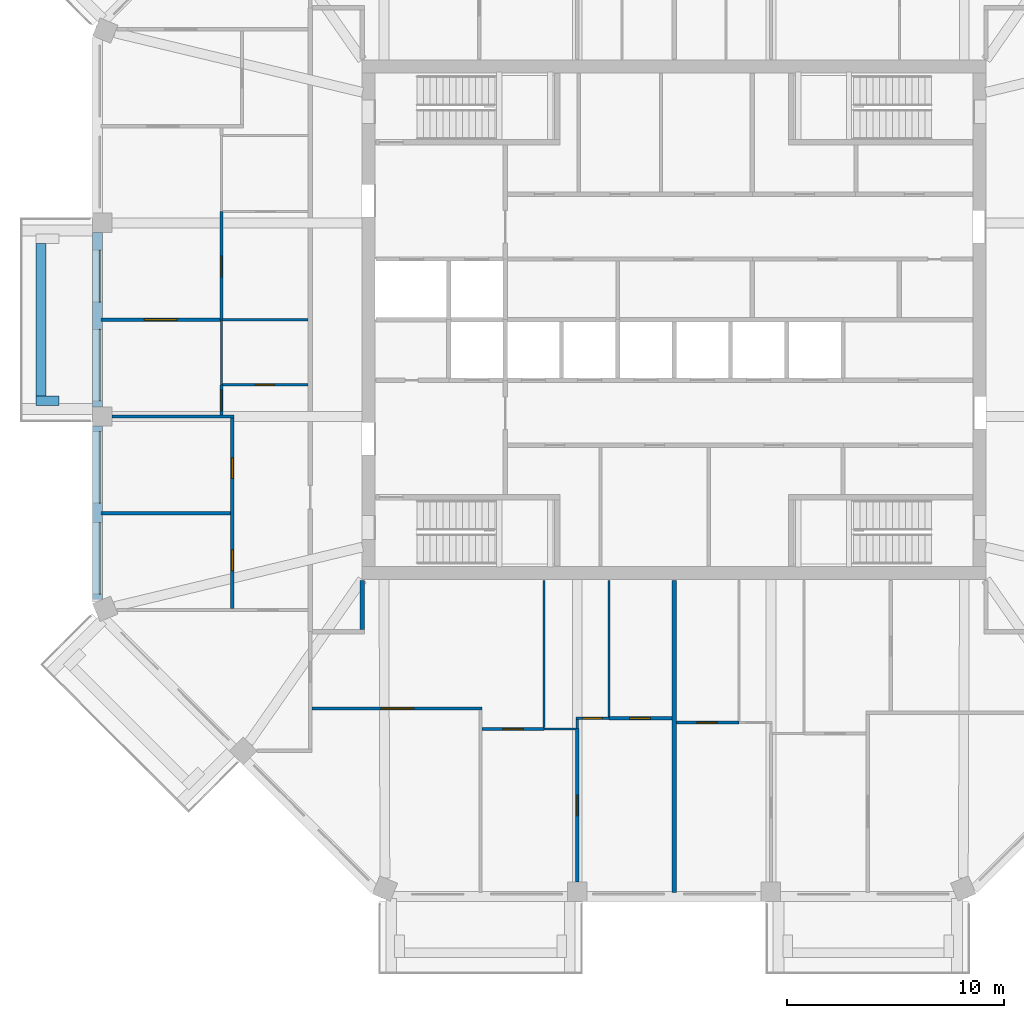
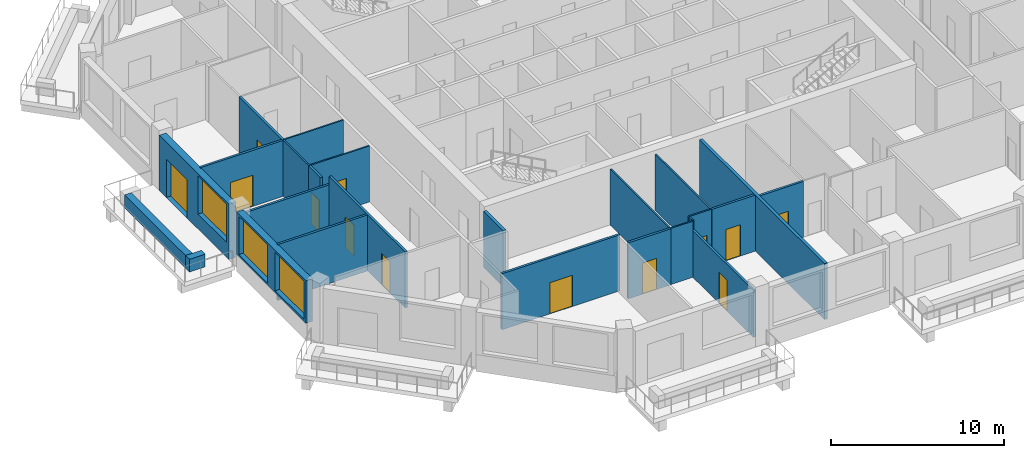
# One storey, part 3 of 12: 25 walls, 13 doors, 3 windows, 16 openings.
"""IFC4 building model written with IfcOpenShell, lengths in metres."""

from ifc_helpers import new_model, si_unit, direction, frame, frame_2d, origin, place, context, subcontext, project, spatial, rectangle, extrude, material, layer, layer_set, type_object, element, fill, save


model = new_model("IFC4")

# Units and contexts
model_context = context("Model", 3, precision=1e-05, world=origin(), true_north=direction((0.0, 1.0)))
body_context = subcontext(model_context, "Body", "Model", "MODEL_VIEW")
ifc_project = project(units=[si_unit("LENGTHUNIT", "METRE"), si_unit("AREAUNIT", "SQUARE_METRE"), si_unit("VOLUMEUNIT", "CUBIC_METRE"), si_unit("PLANEANGLEUNIT", "RADIAN"), si_unit("MASSUNIT", "GRAM", prefix="KILO")], contexts=[model_context])

# Site, building, storey
site_placement = place(None, origin())
site = spatial("IfcSite", under=ifc_project, at=site_placement, CompositionType="ELEMENT")
building_placement = place(site_placement, origin())
building = spatial("IfcBuilding", under=site, at=building_placement, Name="Msitu Wima Residences", CompositionType="ELEMENT")
storey_placement = place(building_placement, frame((0.0, 0.0, 247.5)))
storey = spatial("IfcBuildingStorey", under=building, at=storey_placement, Name="L57", CompositionType="ELEMENT", Elevation=247.5)

# Walls
ifc_material_1 = material(Name="Facing brick")
ifc_layer_1 = layer(ifc_material_1, 0.06494140625, Name="Facing brick")
ifc_material_2 = material(Name="Concrete C40/50", Category="concrete")
ifc_layer_2 = layer(ifc_material_2, 0.156005859375, Name="Concrete C40/50")
ifc_material_3 = material(Name="Waterproofing membrane")
ifc_layer_3 = layer(ifc_material_3, 0.00390625, Name="Waterproofing membrane")
ifc_material_4 = material(Name="Planting soil and planting")
ifc_layer_4 = layer(ifc_material_4, 0.22509765625, Name="Planting soil and planting")
ifc_layer_set_1 = layer_set([ifc_layer_1, ifc_layer_2, ifc_layer_3, ifc_layer_4], Name="Concrete C40/50")
wall_type_1 = type_object("IfcWallType", Name="Balcony planter PLANTER PL450", PredefinedType="USERDEFINED", material=ifc_layer_set_1)
wall_1_placement = place(storey_placement, frame((-29.22509765625, 3.5185546875, 0.0), z_axis=(0.0, 0.0, 1.0), x_axis=(0.0, -1.0, 0.0)))
element("IfcWall", 1, at=wall_1_placement, inside=storey, type_object=wall_type_1, Name="Balcony planter W1 L57", ObjectType="PLANTER", PredefinedType="USERDEFINED", context=body_context, shape_type="SweptSolid", body=[
    extrude(rectangle(XDim=7.037109375, YDim=0.449951171875, at=frame_2d((3.5185546875, 0.0))), origin(), (0.0, 0.0, 1.0), 0.89990234375),
])
wall_2_placement = place(storey_placement, frame((-28.39990234375, -3.74365234375, 0.0), z_axis=(0.0, 0.0, 1.0), x_axis=(-1.0, 0.0, 0.0)))
element("IfcWall", 2, at=wall_2_placement, inside=storey, type_object=wall_type_1, Name="Balcony planter W1 L57", ObjectType="PLANTER", PredefinedType="USERDEFINED", context=body_context, shape_type="SweptSolid", body=[
    extrude(rectangle(XDim=1.050048828125, YDim=0.449951171875, at=frame_2d((0.52490234375, 0.0))), origin(), (0.0, 0.0, 1.0), 0.89990234375),
])

# Wall, openings, door, window
ifc_material_5 = material(Name="Brick (red buff mix)", Category="masonry")
ifc_layer_5 = layer(ifc_material_5, 0.449951171875)
ifc_layer_set_2 = layer_set([ifc_layer_5], Name="Brick (red buff mix)")
wall_type_2 = type_object("IfcWallType", Name="Brick infill wall BW450", PredefinedType="SOLIDWALL", material=ifc_layer_set_2)
wall_3_placement = place(storey_placement, frame((-26.625, 4.0185546875, 0.0), z_axis=(0.0, 0.0, 1.0), x_axis=(0.0, -1.0, 0.0)))
wall_3 = element("IfcWall", 3, at=wall_3_placement, inside=storey, type_object=wall_type_2, Name="Brick infill wall L57 W1", PredefinedType="SOLIDWALL", context=body_context, shape_type="SweptSolid", body=[
    extrude(rectangle(XDim=8.037109375, YDim=0.449951171875, at=frame_2d((4.0185546875, 0.0))), origin(), (0.0, 0.0, 1.0), 3.89990234375),
])
opening_1_placement = place(wall_3_placement, frame((0.809326171875, 0.0, 0.0)))
opening_1 = element("IfcOpeningElement", 4, at=opening_1_placement, cuts=wall_3, Name="Opening D57-59.010", PredefinedType="OPENING", context=body_context, shape_type="SweptSolid", body=[
    extrude(rectangle(XDim=2.39990234375, YDim=2.699951171875, at=frame_2d((1.199951171875, 1.35009765625))), frame((0.0, 0.23486328125, 0.0), z_axis=(0.0, -1.0, 0.0), x_axis=(1.0, 0.0, 0.0)), (0.0, 0.0, 1.0), 0.469970703125),
])
opening_2_placement = place(wall_3_placement, frame((4.46875, 0.0, 1.050048828125)))
opening_2 = element("IfcOpeningElement", 5, at=opening_2_placement, cuts=wall_3, Name="Opening W57-59.028", PredefinedType="OPENING", context=body_context, shape_type="SweptSolid", body=[
    extrude(rectangle(XDim=3.300048828125, YDim=2.699951171875, at=frame_2d((1.64990234375, 1.35009765625))), frame((0.0, 0.23486328125, 0.0), z_axis=(0.0, -1.0, 0.0), x_axis=(1.0, 0.0, 0.0)), (0.0, 0.0, 1.0), 0.469970703125),
])
ifc_material_6 = material(Name="Anodised aluminium, bronze finish, clear low-emissivity double glazing", Category="aluminium")
door_type_1 = type_object("IfcDoorType", Name="Balcony door D2400x2700", OperationType="SLIDING_TO_LEFT", PredefinedType="DOOR", material=ifc_material_6)
door_1_placement = place(opening_1_placement, origin())
door_1 = element("IfcDoor", 6, at=door_1_placement, inside=storey, type_object=door_type_1, Name="Balcony door L57 W1", OperationType="SINGLE_SWING_LEFT", OverallHeight=2.699951171875, OverallWidth=2.39990234375, PredefinedType="DOOR", context=body_context, shape_type="SweptSolid", body=[
    extrude(rectangle(XDim=2.39990234375, YDim=2.699951171875, at=frame_2d((1.199951171875, 1.35009765625))), frame((0.0, 0.1298828125, 0.0), z_axis=(0.0, -1.0, 0.0), x_axis=(1.0, 0.0, 0.0)), (0.0, 0.0, 1.0), 0.050048828125),
])
fill(opening_1, door_1)
window_type = type_object("IfcWindowType", Name="Window W3300x2700", PartitioningType="DOUBLE_PANEL_VERTICAL", PredefinedType="WINDOW", material=ifc_material_6)
window_1_placement = place(opening_2_placement, origin())
window_1 = element("IfcWindow", 7, at=window_1_placement, inside=storey, type_object=window_type, Name="Window L57 W1.2", OverallHeight=2.699951171875, OverallWidth=3.300048828125, PartitioningType="SINGLE_PANEL", PredefinedType="WINDOW", context=body_context, shape_type="SweptSolid", body=[
    extrude(rectangle(XDim=3.300048828125, YDim=2.699951171875, at=frame_2d((1.64990234375, 1.35009765625))), frame((0.0, 0.135009765625, 0.0), z_axis=(0.0, -1.0, 0.0), x_axis=(1.0, 0.0, 0.0)), (0.0, 0.0, 1.0), 0.06005859375),
])
fill(opening_2, window_1)

# Wall, openings, windows
wall_4_placement = place(storey_placement, frame((-26.625, -4.918701171875, 0.89990234375), z_axis=(0.0, 0.0, 1.0), x_axis=(0.0, -1.0, 0.0)))
wall_4 = element("IfcWall", 8, at=wall_4_placement, inside=storey, type_object=wall_type_2, Name="Brick infill wall L57 W2", PredefinedType="SOLIDWALL", context=body_context, shape_type="SweptSolid", body=[
    extrude(rectangle(XDim=8.0, YDim=0.449951171875, at=frame_2d((4.0, 0.0))), origin(), (0.0, 0.0, 1.0), 3.0),
])
opening_3_placement = place(wall_4_placement, frame((0.25, 0.0, 0.14990234375)))
opening_3 = element("IfcOpeningElement", 9, at=opening_3_placement, cuts=wall_4, Name="Opening W57-59.029", PredefinedType="OPENING", context=body_context, shape_type="SweptSolid", body=[
    extrude(rectangle(XDim=3.300048828125, YDim=2.699951171875, at=frame_2d((1.64990234375, 1.35009765625))), frame((0.0, 0.23486328125, 0.0), z_axis=(0.0, -1.0, 0.0), x_axis=(1.0, 0.0, 0.0)), (0.0, 0.0, 1.0), 0.469970703125),
])
opening_4_placement = place(wall_4_placement, frame((4.4501953125, 0.0, 0.14990234375)))
opening_4 = element("IfcOpeningElement", 10, at=opening_4_placement, cuts=wall_4, Name="Opening W57-59.030", PredefinedType="OPENING", context=body_context, shape_type="SweptSolid", body=[
    extrude(rectangle(XDim=3.300048828125, YDim=2.699951171875, at=frame_2d((1.64990234375, 1.35009765625))), frame((0.0, 0.23486328125, 0.0), z_axis=(0.0, -1.0, 0.0), x_axis=(1.0, 0.0, 0.0)), (0.0, 0.0, 1.0), 0.469970703125),
])
window_2_placement = place(opening_3_placement, origin())
window_2 = element("IfcWindow", 11, at=window_2_placement, inside=storey, type_object=window_type, Name="Window L57 W2.1", OverallHeight=2.699951171875, OverallWidth=3.300048828125, PartitioningType="SINGLE_PANEL", PredefinedType="WINDOW", context=body_context, shape_type="SweptSolid", body=[
    extrude(rectangle(XDim=3.300048828125, YDim=2.699951171875, at=frame_2d((1.64990234375, 1.35009765625))), frame((0.0, 0.135009765625, 0.0), z_axis=(0.0, -1.0, 0.0), x_axis=(1.0, 0.0, 0.0)), (0.0, 0.0, 1.0), 0.06005859375),
])
fill(opening_3, window_2)
window_3_placement = place(opening_4_placement, origin())
window_3 = element("IfcWindow", 12, at=window_3_placement, inside=storey, type_object=window_type, Name="Window L57 W2.2", OverallHeight=2.699951171875, OverallWidth=3.300048828125, PartitioningType="SINGLE_PANEL", PredefinedType="WINDOW", context=body_context, shape_type="SweptSolid", body=[
    extrude(rectangle(XDim=3.300048828125, YDim=2.699951171875, at=frame_2d((1.64990234375, 1.35009765625))), frame((0.0, 0.135009765625, 0.0), z_axis=(0.0, -1.0, 0.0), x_axis=(1.0, 0.0, 0.0)), (0.0, 0.0, 1.0), 0.06005859375),
])
fill(opening_4, window_3)

# Walls
ifc_material_7 = material(Name="Plaster")
ifc_layer_6 = layer(ifc_material_7, 0.011962890625, Name="Plaster")
ifc_material_8 = material(Name="Concrete blockwork", Category="masonry")
ifc_layer_7 = layer(ifc_material_8, 0.176025390625, Name="Concrete blockwork")
ifc_layer_8 = layer(ifc_material_7, 0.011962890625, Name="Plaster")
ifc_layer_set_3 = layer_set([ifc_layer_6, ifc_layer_7, ifc_layer_8], Name="Concrete blockwork")
wall_type_3 = type_object("IfcWallType", Name="Corridor wall FW200", PredefinedType="PARTITIONING", material=ifc_layer_set_3)
wall_5_placement = place(storey_placement, frame((-14.39990234375, -14.300048828125, 0.0), z_axis=(0.0, 0.0, 1.0), x_axis=(0.0, 1.0, 0.0)))
element("IfcWall", 13, at=wall_5_placement, inside=storey, type_object=wall_type_3, Name="Corridor wall", PredefinedType="PARTITIONING", context=body_context, shape_type="SweptSolid", body=[
    extrude(rectangle(XDim=2.27001953125, YDim=0.199951171875, at=frame_2d((1.135009765625, 0.0))), origin(), (0.0, 0.0, 1.0), 3.949951171875),
])
ifc_layer_9 = layer(ifc_material_7, 0.011962890625, Name="Plaster")
ifc_layer_10 = layer(ifc_material_8, 0.1259765625, Name="Concrete blockwork")
ifc_layer_11 = layer(ifc_material_7, 0.011962890625, Name="Plaster")
ifc_layer_set_4 = layer_set([ifc_layer_9, ifc_layer_10, ifc_layer_11], Name="Concrete blockwork")
wall_type_4 = type_object("IfcWallType", Name="Partition PW150", PredefinedType="PARTITIONING", material=ifc_layer_set_4)
wall_6_placement = place(storey_placement, frame((-26.455078125, -8.937255859375, 0.0), z_axis=(0.0, 0.0, 1.0), x_axis=(1.0, 0.0, 0.0)))
element("IfcWall", 14, at=wall_6_placement, inside=storey, type_object=wall_type_4, Name="Partition", PredefinedType="PARTITIONING", context=body_context, shape_type="SweptSolid", body=[
    extrude(rectangle(XDim=5.97998046875, YDim=0.14990234375, at=frame_2d((2.989990234375, 0.0))), origin(), (0.0, 0.0, 1.0), 3.949951171875),
])
wall_7_placement = place(storey_placement, frame((-25.949951171875, -4.46875, 0.0), z_axis=(0.0, 0.0, 1.0), x_axis=(1.0, 0.0, 0.0)))
element("IfcWall", 15, at=wall_7_placement, inside=storey, type_object=wall_type_4, Name="Partition", PredefinedType="PARTITIONING", context=body_context, shape_type="SweptSolid", body=[
    extrude(rectangle(XDim=5.625, YDim=0.14990234375, at=frame_2d((2.8125, 0.0))), origin(), (0.0, 0.0, 1.0), 3.35009765625),
])

# Wall, opening, door
wall_8_placement = place(storey_placement, frame((-26.455078125, 0.0, 0.0), z_axis=(0.0, 0.0, 1.0), x_axis=(1.0, 0.0, 0.0)))
wall_8 = element("IfcWall", 16, at=wall_8_placement, inside=storey, type_object=wall_type_4, Name="Partition", PredefinedType="PARTITIONING", context=body_context, shape_type="SweptSolid", body=[
    extrude(rectangle(XDim=5.5751953125, YDim=0.14990234375, at=frame_2d((2.78759765625, 0.0))), origin(), (0.0, 0.0, 1.0), 3.949951171875),
])
opening_5_placement = place(wall_8_placement, frame((2.0, 0.0, 0.0)))
opening_5 = element("IfcOpeningElement", 17, at=opening_5_placement, cuts=wall_8, Name="Opening D57-59.046", PredefinedType="OPENING", context=body_context, shape_type="SweptSolid", body=[
    extrude(rectangle(XDim=1.5, YDim=2.199951171875, at=frame_2d((0.75, 1.10009765625))), frame((0.0, 0.0849609375, 0.0), z_axis=(0.0, -1.0, 0.0), x_axis=(1.0, 0.0, 0.0)), (0.0, 0.0, 1.0), 0.169921875),
])
ifc_material_9 = material(Name="Timber double door", Category="wood")
door_type_2 = type_object("IfcDoorType", Name="Double door D04 1500x2200", OperationType="DOUBLE_DOOR_SINGLE_SWING", PredefinedType="DOOR", material=ifc_material_9)
door_2_placement = place(opening_5_placement, origin())
door_2 = element("IfcDoor", 18, at=door_2_placement, inside=storey, type_object=door_type_2, Name="Double door", OperationType="DOUBLE_DOOR_SINGLE_SWING", OverallHeight=2.199951171875, OverallWidth=1.5, PredefinedType="DOOR", context=body_context, shape_type="SweptSolid", body=[
    extrude(rectangle(XDim=1.5, YDim=2.199951171875, at=frame_2d((0.75, 1.10009765625))), frame((0.0, 0.02490234375, 0.0), z_axis=(0.0, -1.0, 0.0), x_axis=(1.0, 0.0, 0.0)), (0.0, 0.0, 1.0), 0.050048828125),
])
fill(opening_5, door_2)

wall_9_placement = place(storey_placement, frame((-20.89990234375, -4.3935546875, 0.0), z_axis=(0.0, 0.0, 1.0), x_axis=(0.0, 1.0, 0.0)))
wall_9 = element("IfcWall", 19, at=wall_9_placement, inside=storey, type_object=wall_type_4, Name="Partition", PredefinedType="PARTITIONING", context=body_context, shape_type="SweptSolid", body=[
    extrude(rectangle(XDim=1.37353515625, YDim=0.14990234375, at=frame_2d((0.686767578125, 0.0))), origin(), (0.0, 0.0, 1.0), 3.949951171875),
])
opening_6_placement = place(wall_9_placement, frame((0.199951171875, 0.0, 0.0)))
opening_6 = element("IfcOpeningElement", 20, at=opening_6_placement, cuts=wall_9, Name="Opening D57-59.045", PredefinedType="OPENING", context=body_context, shape_type="SweptSolid", body=[
    extrude(rectangle(XDim=0.949951171875, YDim=2.199951171875, at=frame_2d((0.47509765625, 1.10009765625))), frame((0.0, 0.0849609375, 0.0), z_axis=(0.0, -1.0, 0.0), x_axis=(1.0, 0.0, 0.0)), (0.0, 0.0, 1.0), 0.169921875),
])
ifc_material_10 = material(Name="Timber flush door", Category="wood")
door_type_3 = type_object("IfcDoorType", Name="Room door D12 950x2200", OperationType="SINGLE_SWING_LEFT", PredefinedType="DOOR", material=ifc_material_10)
door_3_placement = place(opening_6_placement, origin())
door_3 = element("IfcDoor", 21, at=door_3_placement, inside=storey, type_object=door_type_3, Name="Room door", OperationType="SINGLE_SWING_LEFT", OverallHeight=2.199951171875, OverallWidth=0.949951171875, PredefinedType="DOOR", context=body_context, shape_type="SweptSolid", body=[
    extrude(rectangle(XDim=0.949951171875, YDim=2.199951171875, at=frame_2d((0.47509765625, 1.10009765625))), frame((0.0, 0.02490234375, 0.0), z_axis=(0.0, -1.0, 0.0), x_axis=(1.0, 0.0, 0.0)), (0.0, 0.0, 1.0), 0.050048828125),
])
fill(opening_6, door_3)

wall_10_placement = place(storey_placement, frame((-20.89990234375, -0.02001953125, 0.0), z_axis=(0.0, 0.0, 1.0), x_axis=(0.0, 1.0, 0.0)))
wall_10 = element("IfcWall", 22, at=wall_10_placement, inside=storey, type_object=wall_type_4, Name="Partition", PredefinedType="PARTITIONING", context=body_context, shape_type="SweptSolid", body=[
    extrude(rectangle(XDim=5.02001953125, YDim=0.14990234375, at=frame_2d((2.510009765625, 0.0))), origin(), (0.0, 0.0, 1.0), 3.949951171875),
])
opening_7_placement = place(wall_10_placement, frame((2.0, 0.0, 0.0)))
opening_7 = element("IfcOpeningElement", 23, at=opening_7_placement, cuts=wall_10, Name="Opening D57-59.030", PredefinedType="OPENING", context=body_context, shape_type="SweptSolid", body=[
    extrude(rectangle(XDim=0.949951171875, YDim=2.199951171875, at=frame_2d((0.47509765625, 1.10009765625))), frame((0.0, 0.0849609375, 0.0), z_axis=(0.0, -1.0, 0.0), x_axis=(1.0, 0.0, 0.0)), (0.0, 0.0, 1.0), 0.169921875),
])
door_4_placement = place(opening_7_placement, origin())
door_4 = element("IfcDoor", 24, at=door_4_placement, inside=storey, type_object=door_type_3, Name="Room door", OperationType="SINGLE_SWING_LEFT", OverallHeight=2.199951171875, OverallWidth=0.949951171875, PredefinedType="DOOR", context=body_context, shape_type="SweptSolid", body=[
    extrude(rectangle(XDim=0.949951171875, YDim=2.199951171875, at=frame_2d((0.47509765625, 1.10009765625))), frame((0.0, 0.02490234375, 0.0), z_axis=(0.0, -1.0, 0.0), x_axis=(1.0, 0.0, 0.0)), (0.0, 0.0, 1.0), 0.050048828125),
])
fill(opening_7, door_4)

# Wall, openings, doors
wall_11_placement = place(storey_placement, frame((-20.39990234375, -13.330810546875, 0.0), z_axis=(0.0, 0.0, 1.0), x_axis=(0.0, 1.0, 0.0)))
wall_11 = element("IfcWall", 25, at=wall_11_placement, inside=storey, type_object=wall_type_4, Name="Partition", PredefinedType="PARTITIONING", context=body_context, shape_type="SweptSolid", body=[
    extrude(rectangle(XDim=8.787109375, YDim=0.14990234375, at=frame_2d((4.3935546875, 0.0))), origin(), (0.0, 0.0, 1.0), 3.949951171875),
])
opening_8_placement = place(wall_11_placement, frame((1.75, 0.0, 0.0)))
opening_8 = element("IfcOpeningElement", 26, at=opening_8_placement, cuts=wall_11, Name="Opening D57-59.043", PredefinedType="OPENING", context=body_context, shape_type="SweptSolid", body=[
    extrude(rectangle(XDim=0.949951171875, YDim=2.199951171875, at=frame_2d((0.47509765625, 1.10009765625))), frame((0.0, 0.0849609375, 0.0), z_axis=(0.0, -1.0, 0.0), x_axis=(1.0, 0.0, 0.0)), (0.0, 0.0, 1.0), 0.169921875),
])
opening_9_placement = place(wall_11_placement, frame((6.0, 0.0, 0.0)))
opening_9 = element("IfcOpeningElement", 27, at=opening_9_placement, cuts=wall_11, Name="Opening D57-59.044", PredefinedType="OPENING", context=body_context, shape_type="SweptSolid", body=[
    extrude(rectangle(XDim=0.949951171875, YDim=2.199951171875, at=frame_2d((0.47509765625, 1.10009765625))), frame((0.0, 0.0849609375, 0.0), z_axis=(0.0, -1.0, 0.0), x_axis=(1.0, 0.0, 0.0)), (0.0, 0.0, 1.0), 0.169921875),
])
door_5_placement = place(opening_8_placement, origin())
door_5 = element("IfcDoor", 28, at=door_5_placement, inside=storey, type_object=door_type_3, Name="Room door", OperationType="SINGLE_SWING_RIGHT", OverallHeight=2.199951171875, OverallWidth=0.949951171875, PredefinedType="DOOR", context=body_context, shape_type="SweptSolid", body=[
    extrude(rectangle(XDim=0.949951171875, YDim=2.199951171875, at=frame_2d((0.47509765625, 1.10009765625))), frame((0.0, 0.02490234375, 0.0), z_axis=(0.0, -1.0, 0.0), x_axis=(1.0, 0.0, 0.0)), (0.0, 0.0, 1.0), 0.050048828125),
])
fill(opening_8, door_5)
door_6_placement = place(opening_9_placement, origin())
door_6 = element("IfcDoor", 29, at=door_6_placement, inside=storey, type_object=door_type_3, Name="Room door", OperationType="SINGLE_SWING_LEFT", OverallHeight=2.199951171875, OverallWidth=0.949951171875, PredefinedType="DOOR", context=body_context, shape_type="SweptSolid", body=[
    extrude(rectangle(XDim=0.949951171875, YDim=2.199951171875, at=frame_2d((0.47509765625, 1.10009765625))), frame((0.0, 0.02490234375, 0.0), z_axis=(0.0, -1.0, 0.0), x_axis=(1.0, 0.0, 0.0)), (0.0, 0.0, 1.0), 0.050048828125),
])
fill(opening_9, door_6)

# Wall, opening, door
wall_12_placement = place(storey_placement, frame((-16.72509765625, -17.949951171875, 0.0), z_axis=(0.0, 0.0, 1.0), x_axis=(1.0, 0.0, 0.0)))
wall_12 = element("IfcWall", 30, at=wall_12_placement, inside=storey, type_object=wall_type_4, Name="Partition", PredefinedType="PARTITIONING", context=body_context, shape_type="SweptSolid", body=[
    extrude(rectangle(XDim=7.86279296875, YDim=0.14990234375, at=frame_2d((3.931396484375, 0.0))), origin(), (0.0, 0.0, 1.0), 3.949951171875),
])
opening_10_placement = place(wall_12_placement, frame((3.199951171875, 0.0, 0.0)))
opening_10 = element("IfcOpeningElement", 31, at=opening_10_placement, cuts=wall_12, Name="Opening D57-59.027", PredefinedType="OPENING", context=body_context, shape_type="SweptSolid", body=[
    extrude(rectangle(XDim=1.5, YDim=2.199951171875, at=frame_2d((0.75, 1.10009765625))), frame((0.0, 0.0849609375, 0.0), z_axis=(0.0, -1.0, 0.0), x_axis=(1.0, 0.0, 0.0)), (0.0, 0.0, 1.0), 0.169921875),
])
door_7_placement = place(opening_10_placement, origin())
door_7 = element("IfcDoor", 32, at=door_7_placement, inside=storey, type_object=door_type_2, Name="Double door", OperationType="DOUBLE_DOOR_SINGLE_SWING", OverallHeight=2.199951171875, OverallWidth=1.5, PredefinedType="DOOR", context=body_context, shape_type="SweptSolid", body=[
    extrude(rectangle(XDim=1.5, YDim=2.199951171875, at=frame_2d((0.75, 1.10009765625))), frame((0.0, 0.02490234375, 0.0), z_axis=(0.0, -1.0, 0.0), x_axis=(1.0, 0.0, 0.0)), (0.0, 0.0, 1.0), 0.050048828125),
])
fill(opening_10, door_7)

wall_13_placement = place(storey_placement, frame((-8.8623046875, -18.89990234375, 0.0), z_axis=(0.0, 0.0, 1.0), x_axis=(1.0, 0.0, 0.0)))
wall_13 = element("IfcWall", 33, at=wall_13_placement, inside=storey, type_object=wall_type_4, Name="Partition", PredefinedType="PARTITIONING", context=body_context, shape_type="SweptSolid", body=[
    extrude(rectangle(XDim=2.8623046875, YDim=0.14990234375, at=frame_2d((1.43115234375, 0.0))), origin(), (0.0, 0.0, 1.0), 3.949951171875),
])
opening_11_placement = place(wall_13_placement, frame((0.949951171875, 0.0, 0.0)))
opening_11 = element("IfcOpeningElement", 34, at=opening_11_placement, cuts=wall_13, Name="Opening D57-59.026", PredefinedType="OPENING", context=body_context, shape_type="SweptSolid", body=[
    extrude(rectangle(XDim=0.949951171875, YDim=2.199951171875, at=frame_2d((0.47509765625, 1.10009765625))), frame((0.0, 0.0849609375, 0.0), z_axis=(0.0, -1.0, 0.0), x_axis=(1.0, 0.0, 0.0)), (0.0, 0.0, 1.0), 0.169921875),
])
door_8_placement = place(opening_11_placement, origin())
door_8 = element("IfcDoor", 35, at=door_8_placement, inside=storey, type_object=door_type_3, Name="Room door", OperationType="SINGLE_SWING_RIGHT", OverallHeight=2.199951171875, OverallWidth=0.949951171875, PredefinedType="DOOR", context=body_context, shape_type="SweptSolid", body=[
    extrude(rectangle(XDim=0.949951171875, YDim=2.199951171875, at=frame_2d((0.47509765625, 1.10009765625))), frame((0.0, 0.02490234375, 0.0), z_axis=(0.0, -1.0, 0.0), x_axis=(1.0, 0.0, 0.0)), (0.0, 0.0, 1.0), 0.050048828125),
])
fill(opening_11, door_8)

wall_14_placement = place(storey_placement, frame((-4.46875, -25.949951171875, 0.0), z_axis=(0.0, 0.0, 1.0), x_axis=(0.0, 1.0, 0.0)))
wall_14 = element("IfcWall", 36, at=wall_14_placement, inside=storey, type_object=wall_type_4, Name="Partition", PredefinedType="PARTITIONING", context=body_context, shape_type="SweptSolid", body=[
    extrude(rectangle(XDim=7.070068359375, YDim=0.14990234375, at=frame_2d((3.53515625, 0.0))), origin(), (0.0, 0.0, 1.0), 3.300048828125),
])
opening_12_placement = place(wall_14_placement, frame((3.050048828125, 0.0, 0.0)))
opening_12 = element("IfcOpeningElement", 37, at=opening_12_placement, cuts=wall_14, Name="Opening D57-59.033", PredefinedType="OPENING", context=body_context, shape_type="SweptSolid", body=[
    extrude(rectangle(XDim=0.949951171875, YDim=2.199951171875, at=frame_2d((0.47509765625, 1.10009765625))), frame((0.0, 0.0849609375, 0.0), z_axis=(0.0, -1.0, 0.0), x_axis=(1.0, 0.0, 0.0)), (0.0, 0.0, 1.0), 0.169921875),
])
door_9_placement = place(opening_12_placement, origin())
door_9 = element("IfcDoor", 38, at=door_9_placement, inside=storey, type_object=door_type_3, Name="Room door", OperationType="SINGLE_SWING_RIGHT", OverallHeight=2.199951171875, OverallWidth=0.949951171875, PredefinedType="DOOR", context=body_context, shape_type="SweptSolid", body=[
    extrude(rectangle(XDim=0.949951171875, YDim=2.199951171875, at=frame_2d((0.47509765625, 1.10009765625))), frame((0.0, 0.02490234375, 0.0), z_axis=(0.0, -1.0, 0.0), x_axis=(1.0, 0.0, 0.0)), (0.0, 0.0, 1.0), 0.050048828125),
])
fill(opening_12, door_9)

wall_15_placement = place(storey_placement, frame((-3.0, -18.39990234375, 0.0), z_axis=(0.0, 0.0, 1.0), x_axis=(1.0, 0.0, 0.0)))
wall_15 = element("IfcWall", 39, at=wall_15_placement, inside=storey, type_object=wall_type_4, Name="Partition", PredefinedType="PARTITIONING", context=body_context, shape_type="SweptSolid", body=[
    extrude(rectangle(XDim=2.89990234375, YDim=0.14990234375, at=frame_2d((1.449951171875, 0.0))), origin(), (0.0, 0.0, 1.0), 3.949951171875),
])
opening_13_placement = place(wall_15_placement, frame((0.949951171875, 0.0, 0.0)))
opening_13 = element("IfcOpeningElement", 40, at=opening_13_placement, cuts=wall_15, Name="Opening D57-59.037", PredefinedType="OPENING", context=body_context, shape_type="SweptSolid", body=[
    extrude(rectangle(XDim=0.949951171875, YDim=2.199951171875, at=frame_2d((0.47509765625, 1.10009765625))), frame((0.0, 0.0849609375, 0.0), z_axis=(0.0, -1.0, 0.0), x_axis=(1.0, 0.0, 0.0)), (0.0, 0.0, 1.0), 0.169921875),
])
door_10_placement = place(opening_13_placement, origin())
door_10 = element("IfcDoor", 41, at=door_10_placement, inside=storey, type_object=door_type_3, Name="Room door", OperationType="SINGLE_SWING_LEFT", OverallHeight=2.199951171875, OverallWidth=0.949951171875, PredefinedType="DOOR", context=body_context, shape_type="SweptSolid", body=[
    extrude(rectangle(XDim=0.949951171875, YDim=2.199951171875, at=frame_2d((0.47509765625, 1.10009765625))), frame((0.0, 0.02490234375, 0.0), z_axis=(0.0, -1.0, 0.0), x_axis=(1.0, 0.0, 0.0)), (0.0, 0.0, 1.0), 0.050048828125),
])
fill(opening_13, door_10)

wall_16_placement = place(storey_placement, frame((0.10009765625, -18.60009765625, 0.0), z_axis=(0.0, 0.0, 1.0), x_axis=(1.0, 0.0, 0.0)))
wall_16 = element("IfcWall", 42, at=wall_16_placement, inside=storey, type_object=wall_type_4, Name="Partition", PredefinedType="PARTITIONING", context=body_context, shape_type="SweptSolid", body=[
    extrude(rectangle(XDim=2.89990234375, YDim=0.14990234375, at=frame_2d((1.449951171875, 0.0))), origin(), (0.0, 0.0, 1.0), 3.949951171875),
])
opening_14_placement = place(wall_16_placement, frame((0.949951171875, 0.0, 0.0)))
opening_14 = element("IfcOpeningElement", 43, at=opening_14_placement, cuts=wall_16, Name="Opening D57-59.053", PredefinedType="OPENING", context=body_context, shape_type="SweptSolid", body=[
    extrude(rectangle(XDim=0.949951171875, YDim=2.199951171875, at=frame_2d((0.47509765625, 1.10009765625))), frame((0.0, 0.0849609375, 0.0), z_axis=(0.0, -1.0, 0.0), x_axis=(1.0, 0.0, 0.0)), (0.0, 0.0, 1.0), 0.169921875),
])
door_11_placement = place(opening_14_placement, origin())
door_11 = element("IfcDoor", 44, at=door_11_placement, inside=storey, type_object=door_type_3, Name="Room door", OperationType="SINGLE_SWING_RIGHT", OverallHeight=2.199951171875, OverallWidth=0.949951171875, PredefinedType="DOOR", context=body_context, shape_type="SweptSolid", body=[
    extrude(rectangle(XDim=0.949951171875, YDim=2.199951171875, at=frame_2d((0.47509765625, 1.10009765625))), frame((0.0, 0.02490234375, 0.0), z_axis=(0.0, -1.0, 0.0), x_axis=(1.0, 0.0, 0.0)), (0.0, 0.0, 1.0), 0.050048828125),
])
fill(opening_14, door_11)

# Walls
ifc_layer_12 = layer(ifc_material_7, 0.011962890625, Name="Plaster")
ifc_material_11 = material(Name="Dense concrete blockwork", Category="masonry")
ifc_layer_13 = layer(ifc_material_11, 0.176025390625, Name="Dense concrete blockwork")
ifc_layer_14 = layer(ifc_material_7, 0.011962890625, Name="Plaster")
ifc_layer_set_5 = layer_set([ifc_layer_12, ifc_layer_13, ifc_layer_14], Name="Dense concrete blockwork")
wall_type_5 = type_object("IfcWallType", Name="Party wall PW200", PredefinedType="PARTITIONING", material=ifc_layer_set_5)
wall_17_placement = place(storey_placement, frame((0.0, -26.455078125, 0.0), z_axis=(0.0, 0.0, 1.0), x_axis=(0.0, 1.0, 0.0)))
element("IfcWall", 45, at=wall_17_placement, inside=storey, type_object=wall_type_5, Name="Party wall", PredefinedType="PARTITIONING", context=body_context, shape_type="SweptSolid", body=[
    extrude(rectangle(XDim=14.425048828125, YDim=0.199951171875, at=frame_2d((7.21240234375, 0.0))), origin(), (0.0, 0.0, 1.0), 3.949951171875),
])
ifc_material_12 = material(Name="Ceramic tiles")
ifc_layer_15 = layer(ifc_material_12, 0.008056640625, Name="Ceramic tiles")
ifc_material_13 = material(Name="Moisture-resistant board")
ifc_layer_16 = layer(ifc_material_13, 0.012451171875, Name="Moisture-resistant board")
ifc_material_14 = material(Name="Light-gauge stud framing with mineral wool")
ifc_layer_17 = layer(ifc_material_14, 0.06689453125, Name="Light-gauge stud framing with mineral wool")
ifc_layer_18 = layer(ifc_material_13, 0.012451171875, Name="Moisture-resistant board")
ifc_layer_set_6 = layer_set([ifc_layer_15, ifc_layer_16, ifc_layer_17, ifc_layer_18], Name="Light-gauge stud framing with mineral wool")
wall_type_6 = type_object("IfcWallType", Name="Wet wall PW100", PredefinedType="PARTITIONING", material=ifc_layer_set_6)
wall_18_placement = place(storey_placement, frame((-20.89990234375, -3.02001953125, 0.0), z_axis=(0.0, 0.0, 1.0), x_axis=(0.0, 1.0, 0.0)))
element("IfcWall", 46, at=wall_18_placement, inside=storey, type_object=wall_type_6, Name="Wet wall", PredefinedType="PARTITIONING", context=body_context, shape_type="SweptSolid", body=[
    extrude(rectangle(XDim=3.0, YDim=0.10009765625, at=frame_2d((1.5, 0.0))), origin(), (0.0, 0.0, 1.0), 3.949951171875),
])

# Wall, opening, door
wall_19_placement = place(storey_placement, frame((-20.85009765625, -3.0, 0.0), z_axis=(0.0, 0.0, 1.0), x_axis=(1.0, 0.0, 0.0)))
wall_19 = element("IfcWall", 47, at=wall_19_placement, inside=storey, type_object=wall_type_6, Name="Wet wall", PredefinedType="PARTITIONING", context=body_context, shape_type="SweptSolid", body=[
    extrude(rectangle(XDim=3.9501953125, YDim=0.10009765625, at=frame_2d((1.97509765625, 0.0))), origin(), (0.0, 0.0, 1.0), 3.949951171875),
])
opening_15_placement = place(wall_19_placement, frame((1.5, 0.0, 0.0)))
opening_15 = element("IfcOpeningElement", 48, at=opening_15_placement, cuts=wall_19, Name="Opening D57-59.036", PredefinedType="OPENING", context=body_context, shape_type="SweptSolid", body=[
    extrude(rectangle(XDim=0.89990234375, YDim=2.199951171875, at=frame_2d((0.449951171875, 1.10009765625))), frame((0.0, 0.06005859375, 0.0), z_axis=(0.0, -1.0, 0.0), x_axis=(1.0, 0.0, 0.0)), (0.0, 0.0, 1.0), 0.1201171875),
])
ifc_material_15 = material(Name="Timber flush door, moisture resistant", Category="wood")
door_type_4 = type_object("IfcDoorType", Name="Bathroom door D03 900x2200", OperationType="SINGLE_SWING_LEFT", PredefinedType="DOOR", material=ifc_material_15)
door_12_placement = place(opening_15_placement, origin())
door_12 = element("IfcDoor", 49, at=door_12_placement, inside=storey, type_object=door_type_4, Name="Bathroom door", OperationType="SINGLE_SWING_LEFT", OverallHeight=2.199951171875, OverallWidth=0.89990234375, PredefinedType="DOOR", context=body_context, shape_type="SweptSolid", body=[
    extrude(rectangle(XDim=0.89990234375, YDim=2.199951171875, at=frame_2d((0.449951171875, 1.10009765625))), frame((0.0, 0.02490234375, 0.0), z_axis=(0.0, -1.0, 0.0), x_axis=(1.0, 0.0, 0.0)), (0.0, 0.0, 1.0), 0.050048828125),
])
fill(opening_15, door_12)

# Walls
wall_20_placement = place(storey_placement, frame((-20.8798828125, 0.0, 0.0), z_axis=(0.0, 0.0, 1.0), x_axis=(1.0, 0.0, 0.0)))
element("IfcWall", 50, at=wall_20_placement, inside=storey, type_object=wall_type_6, Name="Wet wall", PredefinedType="PARTITIONING", context=body_context, shape_type="SweptSolid", body=[
    extrude(rectangle(XDim=3.97998046875, YDim=0.10009765625, at=frame_2d((1.989990234375, 0.0))), origin(), (0.0, 0.0, 1.0), 3.949951171875),
])
wall_21_placement = place(storey_placement, frame((-6.0, -18.824951171875, 0.0), z_axis=(0.0, 0.0, 1.0), x_axis=(0.0, 1.0, 0.0)))
element("IfcWall", 51, at=wall_21_placement, inside=storey, type_object=wall_type_6, Name="Wet wall", PredefinedType="PARTITIONING", context=body_context, shape_type="SweptSolid", body=[
    extrude(rectangle(XDim=6.794921875, YDim=0.10009765625, at=frame_2d((3.3974609375, 0.0))), origin(), (0.0, 0.0, 1.0), 3.949951171875),
])
wall_22_placement = place(storey_placement, frame((-6.0, -18.89990234375, 0.0), z_axis=(0.0, 0.0, 1.0), x_axis=(1.0, 0.0, 0.0)))
element("IfcWall", 52, at=wall_22_placement, inside=storey, type_object=wall_type_6, Name="Wet wall", PredefinedType="PARTITIONING", context=body_context, shape_type="SweptSolid", body=[
    extrude(rectangle(XDim=1.456298828125, YDim=0.10009765625, at=frame_2d((0.72802734375, 0.0))), origin(), (0.0, 0.0, 1.0), 3.949951171875),
])
wall_23_placement = place(storey_placement, frame((-4.46875, -18.8798828125, 0.0), z_axis=(0.0, 0.0, 1.0), x_axis=(0.0, 1.0, 0.0)))
element("IfcWall", 53, at=wall_23_placement, inside=storey, type_object=wall_type_6, Name="Wet wall", PredefinedType="PARTITIONING", context=body_context, shape_type="SweptSolid", body=[
    extrude(rectangle(XDim=0.429931640625, YDim=0.10009765625, at=frame_2d((0.21484375, 0.0))), origin(), (0.0, 0.0, 1.0), 3.949951171875),
])

# Wall, opening, door
wall_24_placement = place(storey_placement, frame((-4.5185546875, -18.39990234375, 0.0), z_axis=(0.0, 0.0, 1.0), x_axis=(1.0, 0.0, 0.0)))
wall_24 = element("IfcWall", 54, at=wall_24_placement, inside=storey, type_object=wall_type_6, Name="Wet wall", PredefinedType="PARTITIONING", context=body_context, shape_type="SweptSolid", body=[
    extrude(rectangle(XDim=1.5185546875, YDim=0.10009765625, at=frame_2d((0.75927734375, 0.0))), origin(), (0.0, 0.0, 1.0), 3.949951171875),
])
opening_16_placement = place(wall_24_placement, frame((0.300048828125, 0.0, 0.0)))
opening_16 = element("IfcOpeningElement", 55, at=opening_16_placement, cuts=wall_24, Name="Opening D57-59.038", PredefinedType="OPENING", context=body_context, shape_type="SweptSolid", body=[
    extrude(rectangle(XDim=0.89990234375, YDim=2.199951171875, at=frame_2d((0.449951171875, 1.10009765625))), frame((0.0, 0.06005859375, 0.0), z_axis=(0.0, -1.0, 0.0), x_axis=(1.0, 0.0, 0.0)), (0.0, 0.0, 1.0), 0.1201171875),
])
door_13_placement = place(opening_16_placement, origin())
door_13 = element("IfcDoor", 56, at=door_13_placement, inside=storey, type_object=door_type_4, Name="Bathroom door", OperationType="SINGLE_SWING_RIGHT", OverallHeight=2.199951171875, OverallWidth=0.89990234375, PredefinedType="DOOR", context=body_context, shape_type="SweptSolid", body=[
    extrude(rectangle(XDim=0.89990234375, YDim=2.199951171875, at=frame_2d((0.449951171875, 1.10009765625))), frame((0.0, 0.02490234375, 0.0), z_axis=(0.0, -1.0, 0.0), x_axis=(1.0, 0.0, 0.0)), (0.0, 0.0, 1.0), 0.050048828125),
])
fill(opening_16, door_13)

# Wall
wall_25_placement = place(storey_placement, frame((-3.0, -18.35009765625, 0.0), z_axis=(0.0, 0.0, 1.0), x_axis=(0.0, 1.0, 0.0)))
element("IfcWall", 57, at=wall_25_placement, inside=storey, type_object=wall_type_6, Name="Wet wall", PredefinedType="PARTITIONING", context=body_context, shape_type="SweptSolid", body=[
    extrude(rectangle(XDim=6.320068359375, YDim=0.10009765625, at=frame_2d((3.16015625, 0.0))), origin(), (0.0, 0.0, 1.0), 3.949951171875),
])

save(model, "model.ifc")
